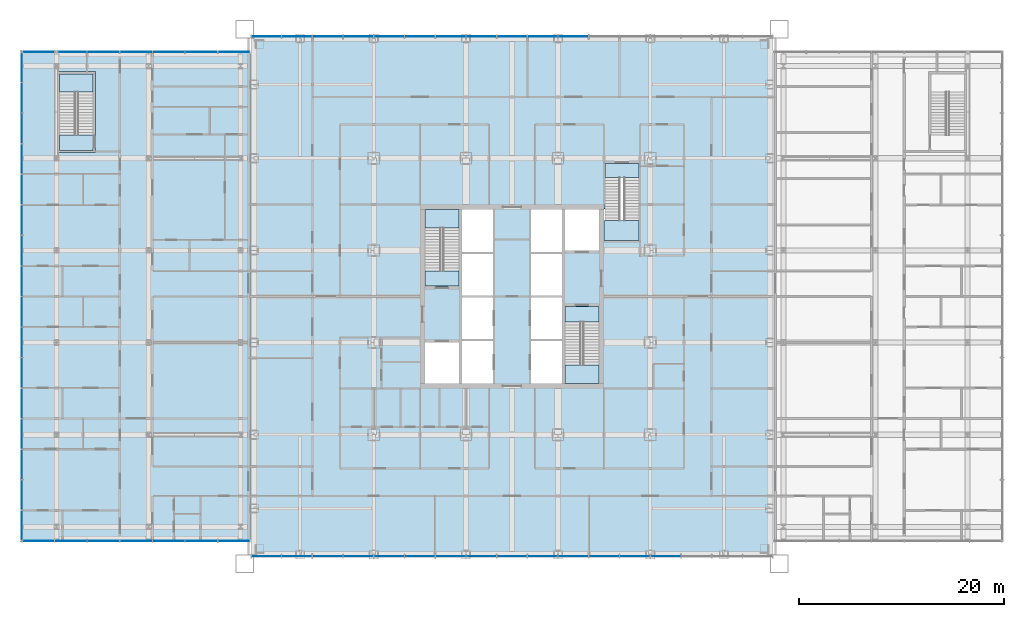
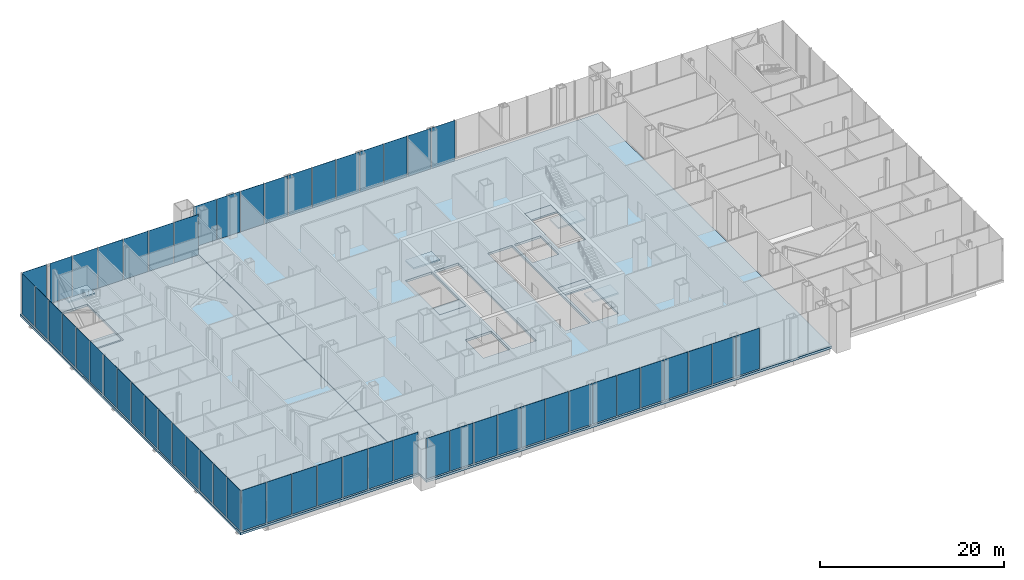
# One storey, part 10 of 25: 55 plates, 10 slabs, 9 elements without a shape of their own.
"""IFC4 building model written with IfcOpenShell, lengths in metres."""

from ifc_helpers import new_model, si_unit, direction, frame, origin, origin_2d, place, context, subcontext, project, spatial, polyline, rectangle, outline, extrude, material, layer, layer_set, type_object, element, aggregate, save


model = new_model("IFC4")

# Units and contexts
model_context = context("Model", 3, precision=1e-05, world=origin(), true_north=direction((0.0, 1.0)))
body_context = subcontext(model_context, "Body", "Model", "MODEL_VIEW")
ifc_project = project(units=[si_unit("LENGTHUNIT", "METRE"), si_unit("AREAUNIT", "SQUARE_METRE"), si_unit("VOLUMEUNIT", "CUBIC_METRE"), si_unit("PLANEANGLEUNIT", "RADIAN"), si_unit("MASSUNIT", "GRAM", prefix="KILO")], contexts=[model_context])

# Site, building, storey
site_placement = place(None, origin())
site = spatial("IfcSite", under=ifc_project, at=site_placement, CompositionType="ELEMENT")
building_placement = place(site_placement, origin())
building = spatial("IfcBuilding", under=site, at=building_placement, Name="Malebo Sky Hospital", CompositionType="ELEMENT")
storey_placement = place(building_placement, frame((0.0, 0.0, 11.0)))
storey = spatial("IfcBuildingStorey", under=building, at=storey_placement, Name="L02", CompositionType="ELEMENT", Elevation=11.0)

# Slabs
ifc_material_1 = material(Name="Concrete C40/50", Category="concrete")
ifc_layer_1 = layer(ifc_material_1, 0.300048828125)
ifc_layer_set_1 = layer_set([ifc_layer_1], Name="COMPOSITE FLOOR SLAB 300")
slab_type_1 = type_object("IfcSlabType", Name="COMPOSITE FLOOR SLAB 300", PredefinedType="FLOOR", material=ifc_layer_set_1)
slab_1_placement = place(storey_placement, frame((0.0, 0.0, -0.300048828125)))
element("IfcSlab", 1, at=slab_1_placement, inside=storey, type_object=slab_type_1, Name="Floor slab L02", PredefinedType="FLOOR", context=body_context, shape_type="SweptSolid", body=[
    extrude(outline(polyline([(34.5, 87.5), (34.5, 36.5), (85.5, 36.5), (85.5, 87.5), (34.5, 87.5)]), holes=[polyline([(55.10009765625, 70.5), (58.14990234375, 70.5), (58.14990234375, 53.5), (55.10009765625, 53.5), (55.10009765625, 70.5)]), polyline([(64.89990234375, 70.5), (64.89990234375, 53.5), (61.85009765625, 53.5), (61.85009765625, 70.5), (64.89990234375, 70.5)]), polyline([(54.800048828125, 63.0), (51.5, 63.0), (51.5, 70.5), (54.800048828125, 70.5), (54.800048828125, 63.0)]), polyline([(51.5, 53.5), (51.5, 57.5), (54.800048828125, 57.5), (54.800048828125, 53.5), (51.5, 53.5)]), polyline([(65.199951171875, 61.0), (68.5, 61.0), (68.5, 53.5), (65.199951171875, 53.5), (65.199951171875, 61.0)]), polyline([(68.5, 70.5), (68.5, 66.5), (65.199951171875, 66.5), (65.199951171875, 70.5), (68.5, 70.5)]), polyline([(69.0, 67.449951171875), (69.0, 70.52001953125), (69.10009765625, 70.52001953125), (69.10009765625, 75.0), (72.39990234375, 75.0), (72.39990234375, 67.449951171875), (69.10009765625, 67.449951171875), (69.0, 67.449951171875)])]), origin(), (0.0, 0.0, 1.0), 0.300048828125),
])
slab_2_placement = place(storey_placement, frame((0.0, 0.0, -0.300048828125)))
element("IfcSlab", 2, at=slab_2_placement, inside=storey, type_object=slab_type_1, Name="Floor slab L02 west wing", PredefinedType="FLOOR", context=body_context, shape_type="SweptSolid", body=[
    extrude(outline(polyline([(34.449951171875, 38.0), (34.449951171875, 86.0), (12.0, 86.0), (12.0, 38.0), (34.449951171875, 38.0)]), holes=[polyline([(19.300048828125, 76.050048828125), (15.60009765625, 76.050048828125), (15.60009765625, 83.949951171875), (19.300048828125, 83.949951171875), (19.300048828125, 76.050048828125)])]), origin(), (0.0, 0.0, 1.0), 0.300048828125),
])

# Stair, slabs
stair_type_1 = type_object("IfcStairType", Name="HALF-TURN STAIR 1500 R172", PredefinedType="HALF_TURN_STAIR", material=ifc_material_1)
stair_1_placement = place(storey_placement, origin())
stair_1 = element("IfcStair", 3, at=stair_1_placement, inside=storey, type_object=stair_type_1, Name="Stair S1 L02 type ST2", PredefinedType="HALF_TURN_STAIR")
ifc_layer_2 = layer(ifc_material_1, 0.199951171875)
ifc_layer_set_2 = layer_set([ifc_layer_2], Name="STAIR LANDING 200")
slab_type_2 = type_object("IfcSlabType", Name="STAIR LANDING 200", PredefinedType="LANDING", material=ifc_layer_set_2)
slab_3_placement = place(storey_placement, frame((0.0, 0.0, -0.199951171875)))
slab_3 = element("IfcSlab", 4, at=slab_3_placement, type_object=slab_type_2, Name="S1 landing 1", PredefinedType="LANDING", context=body_context, shape_type="SweptSolid", body=[
    extrude(outline(polyline([(51.5, 63.0), (54.800048828125, 63.0), (54.800048828125, 64.5), (51.5, 64.5), (51.5, 63.0)])), origin(), (0.0, 0.0, 1.0), 0.199951171875),
])
slab_4_placement = place(storey_placement, frame((0.0, 0.0, 2.550048828125)))
slab_4 = element("IfcSlab", 5, at=slab_4_placement, type_object=slab_type_2, Name="S1 landing 2", PredefinedType="LANDING", context=body_context, shape_type="SweptSolid", body=[
    extrude(outline(polyline([(51.5, 68.699951171875), (54.800048828125, 68.699951171875), (54.800048828125, 70.5), (51.5, 70.5), (51.5, 68.699951171875)])), origin(), (0.0, 0.0, 1.0), 0.199951171875),
])
aggregate(stair_1, [slab_3, slab_4])

stair_2_placement = place(storey_placement, origin())
stair_2 = element("IfcStair", 6, at=stair_2_placement, inside=storey, type_object=stair_type_1, Name="Stair S2 L02 type ST2", PredefinedType="HALF_TURN_STAIR")
slab_5_placement = place(storey_placement, frame((0.0, 0.0, -0.199951171875)))
slab_5 = element("IfcSlab", 7, at=slab_5_placement, type_object=slab_type_2, Name="S2 landing 1", PredefinedType="LANDING", context=body_context, shape_type="SweptSolid", body=[
    extrude(outline(polyline([(65.199951171875, 59.5), (68.5, 59.5), (68.5, 61.0), (65.199951171875, 61.0), (65.199951171875, 59.5)])), origin(), (0.0, 0.0, 1.0), 0.199951171875),
])
slab_6_placement = place(storey_placement, frame((0.0, 0.0, 2.550048828125)))
slab_6 = element("IfcSlab", 8, at=slab_6_placement, type_object=slab_type_2, Name="S2 landing 2", PredefinedType="LANDING", context=body_context, shape_type="SweptSolid", body=[
    extrude(outline(polyline([(65.199951171875, 53.5), (68.5, 53.5), (68.5, 55.300048828125), (65.199951171875, 55.300048828125), (65.199951171875, 53.5)])), origin(), (0.0, 0.0, 1.0), 0.199951171875),
])
aggregate(stair_2, [slab_5, slab_6])

stair_type_2 = type_object("IfcStairType", Name="HALF-TURN STAIR 1400 R172", PredefinedType="HALF_TURN_STAIR", material=ifc_material_1)
stair_3_placement = place(storey_placement, origin())
stair_3 = element("IfcStair", 9, at=stair_3_placement, inside=storey, type_object=stair_type_2, Name="Stair S3 L02 type ST2B", PredefinedType="HALF_TURN_STAIR")
slab_7_placement = place(storey_placement, frame((0.0, 0.0, -0.199951171875)))
slab_7 = element("IfcSlab", 10, at=slab_7_placement, type_object=slab_type_2, Name="S3 landing 1", PredefinedType="LANDING", context=body_context, shape_type="SweptSolid", body=[
    extrude(outline(polyline([(69.10009765625, 73.60009765625), (72.39990234375, 73.60009765625), (72.39990234375, 75.0), (69.10009765625, 75.0), (69.10009765625, 73.60009765625)])), origin(), (0.0, 0.0, 1.0), 0.199951171875),
])
slab_8_placement = place(storey_placement, frame((0.0, 0.0, 2.550048828125)))
slab_8 = element("IfcSlab", 11, at=slab_8_placement, type_object=slab_type_2, Name="S3 landing 2", PredefinedType="LANDING", context=body_context, shape_type="SweptSolid", body=[
    extrude(outline(polyline([(69.0, 67.449951171875), (72.39990234375, 67.449951171875), (72.39990234375, 69.39990234375), (69.0, 69.39990234375), (69.0, 67.449951171875)])), origin(), (0.0, 0.0, 1.0), 0.199951171875),
])
aggregate(stair_3, [slab_7, slab_8])

stair_4_placement = place(storey_placement, origin())
stair_4 = element("IfcStair", 12, at=stair_4_placement, inside=storey, type_object=stair_type_1, Name="Stair WS L02 type ST2", PredefinedType="HALF_TURN_STAIR")
slab_9_placement = place(storey_placement, frame((0.0, 0.0, -0.199951171875)))
slab_9 = element("IfcSlab", 13, at=slab_9_placement, type_object=slab_type_2, Name="WS landing 1", PredefinedType="LANDING", context=body_context, shape_type="SweptSolid", body=[
    extrude(outline(polyline([(15.800048828125, 76.25), (19.10009765625, 76.25), (19.10009765625, 77.75), (15.800048828125, 77.75), (15.800048828125, 76.25)])), origin(), (0.0, 0.0, 1.0), 0.199951171875),
])
slab_10_placement = place(storey_placement, frame((0.0, 0.0, 2.550048828125)))
slab_10 = element("IfcSlab", 14, at=slab_10_placement, type_object=slab_type_2, Name="WS landing 2", PredefinedType="LANDING", context=body_context, shape_type="SweptSolid", body=[
    extrude(outline(polyline([(15.800048828125, 81.949951171875), (19.10009765625, 81.949951171875), (19.10009765625, 83.75), (15.800048828125, 83.75), (15.800048828125, 81.949951171875)])), origin(), (0.0, 0.0, 1.0), 0.199951171875),
])
aggregate(stair_4, [slab_9, slab_10])

# Curtain wall, plates
ifc_material_2 = material(Name="Anodised aluminium, natural silver", Category="aluminium")
ifc_layer_3 = layer(ifc_material_2, 0.25)
ifc_layer_set_3 = layer_set([ifc_layer_3], Name="PODIUM CURTAIN WALL")
curtain_wall_type_1 = type_object("IfcCurtainWallType", Name="PODIUM CURTAIN WALL", PredefinedType="NOTDEFINED", material=ifc_layer_set_3)
curtain_wall_1_placement = place(storey_placement, origin())
curtain_wall_1 = element("IfcCurtainWall", 15, at=curtain_wall_1_placement, inside=storey, type_object=curtain_wall_type_1, Name="POD curtain wall WW", PredefinedType="NOTDEFINED")
ifc_material_3 = material(Name="Clear low-iron double glazing", Category="glass")
ifc_layer_4 = layer(ifc_material_3, 0.031982421875)
ifc_layer_set_4 = layer_set([ifc_layer_4], Name="VISION PANEL CLEAR 32")
plate_type = type_object("IfcPlateType", Name="VISION PANEL CLEAR 32", PredefinedType="CURTAIN_PANEL", material=ifc_layer_set_4)
plate_1_placement = place(storey_placement, frame((12.125, 84.364013671875, 0.10009765625), z_axis=(0.0, 0.0, 1.0), x_axis=(0.0, -1.0, 0.0)))
plate_1 = element("IfcPlate", 16, at=plate_1_placement, type_object=plate_type, Name="Panel 1", PredefinedType="CURTAIN_PANEL", context=body_context, shape_type="SweptSolid", body=[
    extrude(rectangle(XDim=2.871826171875, YDim=0.031982421875, at=origin_2d()), origin(), (0.0, 0.0, 1.0), 5.389892578125),
])
plate_2_placement = place(storey_placement, frame((12.125, 81.3984375, 0.10009765625), z_axis=(0.0, 0.0, 1.0), x_axis=(0.0, -1.0, 0.0)))
plate_2 = element("IfcPlate", 17, at=plate_2_placement, type_object=plate_type, Name="Panel 2", PredefinedType="CURTAIN_PANEL", context=body_context, shape_type="SweptSolid", body=[
    extrude(rectangle(XDim=2.909423828125, YDim=0.031982421875, at=origin_2d()), origin(), (0.0, 0.0, 1.0), 5.389892578125),
])
plate_3_placement = place(storey_placement, frame((12.125, 78.4140625, 0.10009765625), z_axis=(0.0, 0.0, 1.0), x_axis=(0.0, -1.0, 0.0)))
plate_3 = element("IfcPlate", 18, at=plate_3_placement, type_object=plate_type, Name="Panel 3", PredefinedType="CURTAIN_PANEL", context=body_context, shape_type="SweptSolid", body=[
    extrude(rectangle(XDim=2.9091796875, YDim=0.031982421875, at=origin_2d()), origin(), (0.0, 0.0, 1.0), 5.389892578125),
])
plate_4_placement = place(storey_placement, frame((12.125, 75.4296875, 0.10009765625), z_axis=(0.0, 0.0, 1.0), x_axis=(0.0, -1.0, 0.0)))
plate_4 = element("IfcPlate", 19, at=plate_4_placement, type_object=plate_type, Name="Panel 4", PredefinedType="CURTAIN_PANEL", context=body_context, shape_type="SweptSolid", body=[
    extrude(rectangle(XDim=2.909423828125, YDim=0.031982421875, at=origin_2d()), origin(), (0.0, 0.0, 1.0), 5.389892578125),
])
plate_5_placement = place(storey_placement, frame((12.125, 72.4453125, 0.10009765625), z_axis=(0.0, 0.0, 1.0), x_axis=(0.0, -1.0, 0.0)))
plate_5 = element("IfcPlate", 20, at=plate_5_placement, type_object=plate_type, Name="Panel 5", PredefinedType="CURTAIN_PANEL", context=body_context, shape_type="SweptSolid", body=[
    extrude(rectangle(XDim=2.909423828125, YDim=0.031982421875, at=origin_2d()), origin(), (0.0, 0.0, 1.0), 5.389892578125),
])
plate_6_placement = place(storey_placement, frame((12.125, 69.4609375, 0.10009765625), z_axis=(0.0, 0.0, 1.0), x_axis=(0.0, -1.0, 0.0)))
plate_6 = element("IfcPlate", 21, at=plate_6_placement, type_object=plate_type, Name="Panel 6", PredefinedType="CURTAIN_PANEL", context=body_context, shape_type="SweptSolid", body=[
    extrude(rectangle(XDim=2.9091796875, YDim=0.031982421875, at=origin_2d()), origin(), (0.0, 0.0, 1.0), 5.389892578125),
])
plate_7_placement = place(storey_placement, frame((12.125, 66.4765625, 0.10009765625), z_axis=(0.0, 0.0, 1.0), x_axis=(0.0, -1.0, 0.0)))
plate_7 = element("IfcPlate", 22, at=plate_7_placement, type_object=plate_type, Name="Panel 7", PredefinedType="CURTAIN_PANEL", context=body_context, shape_type="SweptSolid", body=[
    extrude(rectangle(XDim=2.909423828125, YDim=0.031982421875, at=origin_2d()), origin(), (0.0, 0.0, 1.0), 5.389892578125),
])
plate_8_placement = place(storey_placement, frame((12.125, 63.4921875, 0.10009765625), z_axis=(0.0, 0.0, 1.0), x_axis=(0.0, -1.0, 0.0)))
plate_8 = element("IfcPlate", 23, at=plate_8_placement, type_object=plate_type, Name="Panel 8", PredefinedType="CURTAIN_PANEL", context=body_context, shape_type="SweptSolid", body=[
    extrude(rectangle(XDim=2.909423828125, YDim=0.031982421875, at=origin_2d()), origin(), (0.0, 0.0, 1.0), 5.389892578125),
])
plate_9_placement = place(storey_placement, frame((12.125, 60.5078125, 0.10009765625), z_axis=(0.0, 0.0, 1.0), x_axis=(0.0, -1.0, 0.0)))
plate_9 = element("IfcPlate", 24, at=plate_9_placement, type_object=plate_type, Name="Panel 9", PredefinedType="CURTAIN_PANEL", context=body_context, shape_type="SweptSolid", body=[
    extrude(rectangle(XDim=2.909423828125, YDim=0.031982421875, at=origin_2d()), origin(), (0.0, 0.0, 1.0), 5.389892578125),
])
plate_10_placement = place(storey_placement, frame((12.125, 57.5234375, 0.10009765625), z_axis=(0.0, 0.0, 1.0), x_axis=(0.0, -1.0, 0.0)))
plate_10 = element("IfcPlate", 25, at=plate_10_placement, type_object=plate_type, Name="Panel 10", PredefinedType="CURTAIN_PANEL", context=body_context, shape_type="SweptSolid", body=[
    extrude(rectangle(XDim=2.909423828125, YDim=0.031982421875, at=origin_2d()), origin(), (0.0, 0.0, 1.0), 5.389892578125),
])
plate_11_placement = place(storey_placement, frame((12.125, 54.5390625, 0.10009765625), z_axis=(0.0, 0.0, 1.0), x_axis=(0.0, -1.0, 0.0)))
plate_11 = element("IfcPlate", 26, at=plate_11_placement, type_object=plate_type, Name="Panel 11", PredefinedType="CURTAIN_PANEL", context=body_context, shape_type="SweptSolid", body=[
    extrude(rectangle(XDim=2.9091796875, YDim=0.031982421875, at=origin_2d()), origin(), (0.0, 0.0, 1.0), 5.389892578125),
])
plate_12_placement = place(storey_placement, frame((12.125, 51.5546875, 0.10009765625), z_axis=(0.0, 0.0, 1.0), x_axis=(0.0, -1.0, 0.0)))
plate_12 = element("IfcPlate", 27, at=plate_12_placement, type_object=plate_type, Name="Panel 12", PredefinedType="CURTAIN_PANEL", context=body_context, shape_type="SweptSolid", body=[
    extrude(rectangle(XDim=2.909423828125, YDim=0.031982421875, at=origin_2d()), origin(), (0.0, 0.0, 1.0), 5.389892578125),
])
plate_13_placement = place(storey_placement, frame((12.125, 48.5703125, 0.10009765625), z_axis=(0.0, 0.0, 1.0), x_axis=(0.0, -1.0, 0.0)))
plate_13 = element("IfcPlate", 28, at=plate_13_placement, type_object=plate_type, Name="Panel 13", PredefinedType="CURTAIN_PANEL", context=body_context, shape_type="SweptSolid", body=[
    extrude(rectangle(XDim=2.909423828125, YDim=0.031982421875, at=origin_2d()), origin(), (0.0, 0.0, 1.0), 5.389892578125),
])
plate_14_placement = place(storey_placement, frame((12.125, 45.5859375, 0.10009765625), z_axis=(0.0, 0.0, 1.0), x_axis=(0.0, -1.0, 0.0)))
plate_14 = element("IfcPlate", 29, at=plate_14_placement, type_object=plate_type, Name="Panel 14", PredefinedType="CURTAIN_PANEL", context=body_context, shape_type="SweptSolid", body=[
    extrude(rectangle(XDim=2.9091796875, YDim=0.031982421875, at=origin_2d()), origin(), (0.0, 0.0, 1.0), 5.389892578125),
])
plate_15_placement = place(storey_placement, frame((12.125, 42.6015625, 0.10009765625), z_axis=(0.0, 0.0, 1.0), x_axis=(0.0, -1.0, 0.0)))
plate_15 = element("IfcPlate", 30, at=plate_15_placement, type_object=plate_type, Name="Panel 15", PredefinedType="CURTAIN_PANEL", context=body_context, shape_type="SweptSolid", body=[
    extrude(rectangle(XDim=2.909423828125, YDim=0.031982421875, at=origin_2d()), origin(), (0.0, 0.0, 1.0), 5.389892578125),
])
plate_16_placement = place(storey_placement, frame((12.125, 39.635986328125, 0.10009765625), z_axis=(0.0, 0.0, 1.0), x_axis=(0.0, -1.0, 0.0)))
plate_16 = element("IfcPlate", 31, at=plate_16_placement, type_object=plate_type, Name="Panel 16", PredefinedType="CURTAIN_PANEL", context=body_context, shape_type="SweptSolid", body=[
    extrude(rectangle(XDim=2.871826171875, YDim=0.031982421875, at=origin_2d()), origin(), (0.0, 0.0, 1.0), 5.389892578125),
])
aggregate(curtain_wall_1, [plate_1, plate_2, plate_3, plate_4, plate_5, plate_6, plate_7, plate_8, plate_9, plate_10, plate_11, plate_12, plate_13, plate_14, plate_15, plate_16])

curtain_wall_2_placement = place(storey_placement, origin())
curtain_wall_2 = element("IfcCurtainWall", 32, at=curtain_wall_2_placement, inside=storey, type_object=curtain_wall_type_1, Name="POD curtain wall WS", PredefinedType="NOTDEFINED")
plate_17_placement = place(storey_placement, frame((13.73828125, 38.125, 0.10009765625), z_axis=(0.0, 0.0, 1.0), x_axis=(1.0, 0.0, 0.0)))
plate_17 = element("IfcPlate", 33, at=plate_17_placement, type_object=plate_type, Name="Panel 1", PredefinedType="CURTAIN_PANEL", context=body_context, shape_type="SweptSolid", body=[
    extrude(rectangle(XDim=3.076904296875, YDim=0.031982421875, at=origin_2d()), origin(), (0.0, 0.0, 1.0), 5.389892578125),
])
plate_18_placement = place(storey_placement, frame((16.908935546875, 38.125, 0.10009765625), z_axis=(0.0, 0.0, 1.0), x_axis=(1.0, 0.0, 0.0)))
plate_18 = element("IfcPlate", 34, at=plate_18_placement, type_object=plate_type, Name="Panel 2", PredefinedType="CURTAIN_PANEL", context=body_context, shape_type="SweptSolid", body=[
    extrude(rectangle(XDim=3.1142578125, YDim=0.031982421875, at=origin_2d()), origin(), (0.0, 0.0, 1.0), 5.389892578125),
])
plate_19_placement = place(storey_placement, frame((20.09814453125, 38.125, 0.10009765625), z_axis=(0.0, 0.0, 1.0), x_axis=(1.0, 0.0, 0.0)))
plate_19 = element("IfcPlate", 35, at=plate_19_placement, type_object=plate_type, Name="Panel 3", PredefinedType="CURTAIN_PANEL", context=body_context, shape_type="SweptSolid", body=[
    extrude(rectangle(XDim=3.1142578125, YDim=0.031982421875, at=origin_2d()), origin(), (0.0, 0.0, 1.0), 5.389892578125),
])
plate_20_placement = place(storey_placement, frame((23.28759765625, 38.125, 0.10009765625), z_axis=(0.0, 0.0, 1.0), x_axis=(1.0, 0.0, 0.0)))
plate_20 = element("IfcPlate", 36, at=plate_20_placement, type_object=plate_type, Name="Panel 4", PredefinedType="CURTAIN_PANEL", context=body_context, shape_type="SweptSolid", body=[
    extrude(rectangle(XDim=3.1142578125, YDim=0.031982421875, at=origin_2d()), origin(), (0.0, 0.0, 1.0), 5.389892578125),
])
plate_21_placement = place(storey_placement, frame((26.476806640625, 38.125, 0.10009765625), z_axis=(0.0, 0.0, 1.0), x_axis=(1.0, 0.0, 0.0)))
plate_21 = element("IfcPlate", 37, at=plate_21_placement, type_object=plate_type, Name="Panel 5", PredefinedType="CURTAIN_PANEL", context=body_context, shape_type="SweptSolid", body=[
    extrude(rectangle(XDim=3.1142578125, YDim=0.031982421875, at=origin_2d()), origin(), (0.0, 0.0, 1.0), 5.389892578125),
])
plate_22_placement = place(storey_placement, frame((29.666015625, 38.125, 0.10009765625), z_axis=(0.0, 0.0, 1.0), x_axis=(1.0, 0.0, 0.0)))
plate_22 = element("IfcPlate", 38, at=plate_22_placement, type_object=plate_type, Name="Panel 6", PredefinedType="CURTAIN_PANEL", context=body_context, shape_type="SweptSolid", body=[
    extrude(rectangle(XDim=3.1142578125, YDim=0.031982421875, at=origin_2d()), origin(), (0.0, 0.0, 1.0), 5.389892578125),
])
plate_23_placement = place(storey_placement, frame((32.836669921875, 38.125, 0.10009765625), z_axis=(0.0, 0.0, 1.0), x_axis=(1.0, 0.0, 0.0)))
plate_23 = element("IfcPlate", 39, at=plate_23_placement, type_object=plate_type, Name="Panel 7", PredefinedType="CURTAIN_PANEL", context=body_context, shape_type="SweptSolid", body=[
    extrude(rectangle(XDim=3.076904296875, YDim=0.031982421875, at=origin_2d()), origin(), (0.0, 0.0, 1.0), 5.389892578125),
])
aggregate(curtain_wall_2, [plate_17, plate_18, plate_19, plate_20, plate_21, plate_22, plate_23])

curtain_wall_3_placement = place(storey_placement, origin())
curtain_wall_3 = element("IfcCurtainWall", 40, at=curtain_wall_3_placement, inside=storey, type_object=curtain_wall_type_1, Name="POD curtain wall WN", PredefinedType="NOTDEFINED")
plate_24_placement = place(storey_placement, frame((32.836669921875, 85.875, 0.10009765625), z_axis=(0.0, 0.0, 1.0), x_axis=(-1.0, 0.0, 0.0)))
plate_24 = element("IfcPlate", 41, at=plate_24_placement, type_object=plate_type, Name="Panel 1", PredefinedType="CURTAIN_PANEL", context=body_context, shape_type="SweptSolid", body=[
    extrude(rectangle(XDim=3.076904296875, YDim=0.031982421875, at=origin_2d()), origin(), (0.0, 0.0, 1.0), 5.389892578125),
])
plate_25_placement = place(storey_placement, frame((29.666015625, 85.875, 0.10009765625), z_axis=(0.0, 0.0, 1.0), x_axis=(-1.0, 0.0, 0.0)))
plate_25 = element("IfcPlate", 42, at=plate_25_placement, type_object=plate_type, Name="Panel 2", PredefinedType="CURTAIN_PANEL", context=body_context, shape_type="SweptSolid", body=[
    extrude(rectangle(XDim=3.1142578125, YDim=0.031982421875, at=origin_2d()), origin(), (0.0, 0.0, 1.0), 5.389892578125),
])
plate_26_placement = place(storey_placement, frame((26.476806640625, 85.875, 0.10009765625), z_axis=(0.0, 0.0, 1.0), x_axis=(-1.0, 0.0, 0.0)))
plate_26 = element("IfcPlate", 43, at=plate_26_placement, type_object=plate_type, Name="Panel 3", PredefinedType="CURTAIN_PANEL", context=body_context, shape_type="SweptSolid", body=[
    extrude(rectangle(XDim=3.1142578125, YDim=0.031982421875, at=origin_2d()), origin(), (0.0, 0.0, 1.0), 5.389892578125),
])
plate_27_placement = place(storey_placement, frame((23.28759765625, 85.875, 0.10009765625), z_axis=(0.0, 0.0, 1.0), x_axis=(-1.0, 0.0, 0.0)))
plate_27 = element("IfcPlate", 44, at=plate_27_placement, type_object=plate_type, Name="Panel 4", PredefinedType="CURTAIN_PANEL", context=body_context, shape_type="SweptSolid", body=[
    extrude(rectangle(XDim=3.1142578125, YDim=0.031982421875, at=origin_2d()), origin(), (0.0, 0.0, 1.0), 5.389892578125),
])
plate_28_placement = place(storey_placement, frame((20.09814453125, 85.875, 0.10009765625), z_axis=(0.0, 0.0, 1.0), x_axis=(-1.0, 0.0, 0.0)))
plate_28 = element("IfcPlate", 45, at=plate_28_placement, type_object=plate_type, Name="Panel 5", PredefinedType="CURTAIN_PANEL", context=body_context, shape_type="SweptSolid", body=[
    extrude(rectangle(XDim=3.1142578125, YDim=0.031982421875, at=origin_2d()), origin(), (0.0, 0.0, 1.0), 5.389892578125),
])
plate_29_placement = place(storey_placement, frame((17.07666015625, 85.875, 0.1669921875), z_axis=(0.0, 0.0, 1.0), x_axis=(-1.0, 0.0, 0.0)))
plate_29 = element("IfcPlate", 46, at=plate_29_placement, type_object=plate_type, Name="Panel 6", PredefinedType="CURTAIN_PANEL", context=body_context, shape_type="SweptSolid", body=[
    extrude(outline(polyline([(-1.389404296875, 0.0), (1.389404296875, 0.0), (1.389404296875, 5.322998046875), (-1.389404296875, 5.322998046875), (-1.389404296875, 0.0)])), frame((0.0, 0.01611328125, 0.0), z_axis=(0.0, -1.0, 0.0), x_axis=(1.0, 0.0, 0.0)), (0.0, 0.0, 1.0), 0.031982421875),
])
plate_30_placement = place(storey_placement, frame((13.73828125, 85.875, 0.10009765625), z_axis=(0.0, 0.0, 1.0), x_axis=(-1.0, 0.0, 0.0)))
plate_30 = element("IfcPlate", 47, at=plate_30_placement, type_object=plate_type, Name="Panel 7", PredefinedType="CURTAIN_PANEL", context=body_context, shape_type="SweptSolid", body=[
    extrude(rectangle(XDim=3.076904296875, YDim=0.031982421875, at=origin_2d()), origin(), (0.0, 0.0, 1.0), 5.389892578125),
])
aggregate(curtain_wall_3, [plate_24, plate_25, plate_26, plate_27, plate_28, plate_29, plate_30])

ifc_layer_5 = layer(ifc_material_2, 0.25)
ifc_layer_set_5 = layer_set([ifc_layer_5], Name="PODIUM ENTRANCE BAY CURTAIN WALL")
curtain_wall_type_2 = type_object("IfcCurtainWallType", Name="PODIUM ENTRANCE BAY CURTAIN WALL", PredefinedType="NOTDEFINED", material=ifc_layer_set_5)
curtain_wall_4_placement = place(storey_placement, origin())
curtain_wall_4 = element("IfcCurtainWall", 48, at=curtain_wall_4_placement, inside=storey, type_object=curtain_wall_type_2, Name="BAY curtain wall BS", PredefinedType="NOTDEFINED")
plate_31_placement = place(storey_placement, frame((36.018798828125, 36.625, 0.10009765625), z_axis=(0.0, 0.0, 1.0), x_axis=(1.0, 0.0, 0.0)))
plate_31 = element("IfcPlate", 49, at=plate_31_placement, type_object=plate_type, Name="Panel 1", PredefinedType="CURTAIN_PANEL", context=body_context, shape_type="SweptSolid", body=[
    extrude(rectangle(XDim=2.887451171875, YDim=0.031982421875, at=origin_2d()), origin(), (0.0, 0.0, 1.0), 5.389892578125),
])
plate_32_placement = place(storey_placement, frame((39.0, 36.625, 0.10009765625), z_axis=(0.0, 0.0, 1.0), x_axis=(1.0, 0.0, 0.0)))
plate_32 = element("IfcPlate", 50, at=plate_32_placement, type_object=plate_type, Name="Panel 2", PredefinedType="CURTAIN_PANEL", context=body_context, shape_type="SweptSolid", body=[
    extrude(rectangle(XDim=2.925048828125, YDim=0.031982421875, at=origin_2d()), origin(), (0.0, 0.0, 1.0), 5.389892578125),
])
plate_33_placement = place(storey_placement, frame((42.0, 36.625, 0.10009765625), z_axis=(0.0, 0.0, 1.0), x_axis=(1.0, 0.0, 0.0)))
plate_33 = element("IfcPlate", 51, at=plate_33_placement, type_object=plate_type, Name="Panel 3", PredefinedType="CURTAIN_PANEL", context=body_context, shape_type="SweptSolid", body=[
    extrude(rectangle(XDim=2.925048828125, YDim=0.031982421875, at=origin_2d()), origin(), (0.0, 0.0, 1.0), 5.389892578125),
])
plate_34_placement = place(storey_placement, frame((45.0, 36.625, 0.10009765625), z_axis=(0.0, 0.0, 1.0), x_axis=(1.0, 0.0, 0.0)))
plate_34 = element("IfcPlate", 52, at=plate_34_placement, type_object=plate_type, Name="Panel 4", PredefinedType="CURTAIN_PANEL", context=body_context, shape_type="SweptSolid", body=[
    extrude(rectangle(XDim=2.925048828125, YDim=0.031982421875, at=origin_2d()), origin(), (0.0, 0.0, 1.0), 5.389892578125),
])
plate_35_placement = place(storey_placement, frame((48.0, 36.625, 0.10009765625), z_axis=(0.0, 0.0, 1.0), x_axis=(1.0, 0.0, 0.0)))
plate_35 = element("IfcPlate", 53, at=plate_35_placement, type_object=plate_type, Name="Panel 5", PredefinedType="CURTAIN_PANEL", context=body_context, shape_type="SweptSolid", body=[
    extrude(rectangle(XDim=2.925048828125, YDim=0.031982421875, at=origin_2d()), origin(), (0.0, 0.0, 1.0), 5.389892578125),
])
plate_36_placement = place(storey_placement, frame((51.0, 36.625, 0.10009765625), z_axis=(0.0, 0.0, 1.0), x_axis=(1.0, 0.0, 0.0)))
plate_36 = element("IfcPlate", 54, at=plate_36_placement, type_object=plate_type, Name="Panel 6", PredefinedType="CURTAIN_PANEL", context=body_context, shape_type="SweptSolid", body=[
    extrude(rectangle(XDim=2.925048828125, YDim=0.031982421875, at=origin_2d()), origin(), (0.0, 0.0, 1.0), 5.389892578125),
])
plate_37_placement = place(storey_placement, frame((54.0, 36.625, 0.10009765625), z_axis=(0.0, 0.0, 1.0), x_axis=(1.0, 0.0, 0.0)))
plate_37 = element("IfcPlate", 55, at=plate_37_placement, type_object=plate_type, Name="Panel 7", PredefinedType="CURTAIN_PANEL", context=body_context, shape_type="SweptSolid", body=[
    extrude(rectangle(XDim=2.925048828125, YDim=0.031982421875, at=origin_2d()), origin(), (0.0, 0.0, 1.0), 5.389892578125),
])
plate_38_placement = place(storey_placement, frame((57.0, 36.625, 0.10009765625), z_axis=(0.0, 0.0, 1.0), x_axis=(1.0, 0.0, 0.0)))
plate_38 = element("IfcPlate", 56, at=plate_38_placement, type_object=plate_type, Name="Panel 8", PredefinedType="CURTAIN_PANEL", context=body_context, shape_type="SweptSolid", body=[
    extrude(rectangle(XDim=2.925048828125, YDim=0.031982421875, at=origin_2d()), origin(), (0.0, 0.0, 1.0), 5.389892578125),
])
plate_39_placement = place(storey_placement, frame((60.0, 36.625, 0.10009765625), z_axis=(0.0, 0.0, 1.0), x_axis=(1.0, 0.0, 0.0)))
plate_39 = element("IfcPlate", 57, at=plate_39_placement, type_object=plate_type, Name="Panel 9", PredefinedType="CURTAIN_PANEL", context=body_context, shape_type="SweptSolid", body=[
    extrude(rectangle(XDim=2.925048828125, YDim=0.031982421875, at=origin_2d()), origin(), (0.0, 0.0, 1.0), 5.389892578125),
])
plate_40_placement = place(storey_placement, frame((63.0, 36.625, 0.10009765625), z_axis=(0.0, 0.0, 1.0), x_axis=(1.0, 0.0, 0.0)))
plate_40 = element("IfcPlate", 58, at=plate_40_placement, type_object=plate_type, Name="Panel 10", PredefinedType="CURTAIN_PANEL", context=body_context, shape_type="SweptSolid", body=[
    extrude(rectangle(XDim=2.925048828125, YDim=0.031982421875, at=origin_2d()), origin(), (0.0, 0.0, 1.0), 5.389892578125),
])
plate_41_placement = place(storey_placement, frame((66.0, 36.625, 0.10009765625), z_axis=(0.0, 0.0, 1.0), x_axis=(1.0, 0.0, 0.0)))
plate_41 = element("IfcPlate", 59, at=plate_41_placement, type_object=plate_type, Name="Panel 11", PredefinedType="CURTAIN_PANEL", context=body_context, shape_type="SweptSolid", body=[
    extrude(rectangle(XDim=2.925048828125, YDim=0.031982421875, at=origin_2d()), origin(), (0.0, 0.0, 1.0), 5.389892578125),
])
plate_42_placement = place(storey_placement, frame((69.0, 36.625, 0.10009765625), z_axis=(0.0, 0.0, 1.0), x_axis=(1.0, 0.0, 0.0)))
plate_42 = element("IfcPlate", 60, at=plate_42_placement, type_object=plate_type, Name="Panel 12", PredefinedType="CURTAIN_PANEL", context=body_context, shape_type="SweptSolid", body=[
    extrude(rectangle(XDim=2.925048828125, YDim=0.031982421875, at=origin_2d()), origin(), (0.0, 0.0, 1.0), 5.389892578125),
])
plate_43_placement = place(storey_placement, frame((72.0, 36.625, 0.10009765625), z_axis=(0.0, 0.0, 1.0), x_axis=(1.0, 0.0, 0.0)))
plate_43 = element("IfcPlate", 61, at=plate_43_placement, type_object=plate_type, Name="Panel 13", PredefinedType="CURTAIN_PANEL", context=body_context, shape_type="SweptSolid", body=[
    extrude(rectangle(XDim=2.925048828125, YDim=0.031982421875, at=origin_2d()), origin(), (0.0, 0.0, 1.0), 5.389892578125),
])
plate_44_placement = place(storey_placement, frame((75.0, 36.625, 0.10009765625), z_axis=(0.0, 0.0, 1.0), x_axis=(1.0, 0.0, 0.0)))
plate_44 = element("IfcPlate", 62, at=plate_44_placement, type_object=plate_type, Name="Panel 14", PredefinedType="CURTAIN_PANEL", context=body_context, shape_type="SweptSolid", body=[
    extrude(rectangle(XDim=2.925048828125, YDim=0.031982421875, at=origin_2d()), origin(), (0.0, 0.0, 1.0), 5.389892578125),
])
aggregate(curtain_wall_4, [plate_31, plate_32, plate_33, plate_34, plate_35, plate_36, plate_37, plate_38, plate_39, plate_40, plate_41, plate_42, plate_43, plate_44])

curtain_wall_5_placement = place(storey_placement, origin())
curtain_wall_5 = element("IfcCurtainWall", 63, at=curtain_wall_5_placement, inside=storey, type_object=curtain_wall_type_2, Name="BAY curtain wall BN", PredefinedType="NOTDEFINED")
plate_45_placement = place(storey_placement, frame((66.0, 87.375, 0.10009765625), z_axis=(0.0, 0.0, 1.0), x_axis=(-1.0, 0.0, 0.0)))
plate_45 = element("IfcPlate", 64, at=plate_45_placement, type_object=plate_type, Name="Panel 7", PredefinedType="CURTAIN_PANEL", context=body_context, shape_type="SweptSolid", body=[
    extrude(rectangle(XDim=2.925048828125, YDim=0.031982421875, at=origin_2d()), origin(), (0.0, 0.0, 1.0), 5.389892578125),
])
plate_46_placement = place(storey_placement, frame((63.0, 87.375, 0.10009765625), z_axis=(0.0, 0.0, 1.0), x_axis=(-1.0, 0.0, 0.0)))
plate_46 = element("IfcPlate", 65, at=plate_46_placement, type_object=plate_type, Name="Panel 8", PredefinedType="CURTAIN_PANEL", context=body_context, shape_type="SweptSolid", body=[
    extrude(rectangle(XDim=2.925048828125, YDim=0.031982421875, at=origin_2d()), origin(), (0.0, 0.0, 1.0), 5.389892578125),
])
plate_47_placement = place(storey_placement, frame((60.0, 87.375, 0.10009765625), z_axis=(0.0, 0.0, 1.0), x_axis=(-1.0, 0.0, 0.0)))
plate_47 = element("IfcPlate", 66, at=plate_47_placement, type_object=plate_type, Name="Panel 9", PredefinedType="CURTAIN_PANEL", context=body_context, shape_type="SweptSolid", body=[
    extrude(rectangle(XDim=2.925048828125, YDim=0.031982421875, at=origin_2d()), origin(), (0.0, 0.0, 1.0), 5.389892578125),
])
plate_48_placement = place(storey_placement, frame((57.0, 87.375, 0.10009765625), z_axis=(0.0, 0.0, 1.0), x_axis=(-1.0, 0.0, 0.0)))
plate_48 = element("IfcPlate", 67, at=plate_48_placement, type_object=plate_type, Name="Panel 10", PredefinedType="CURTAIN_PANEL", context=body_context, shape_type="SweptSolid", body=[
    extrude(rectangle(XDim=2.925048828125, YDim=0.031982421875, at=origin_2d()), origin(), (0.0, 0.0, 1.0), 5.389892578125),
])
plate_49_placement = place(storey_placement, frame((54.0, 87.375, 0.10009765625), z_axis=(0.0, 0.0, 1.0), x_axis=(-1.0, 0.0, 0.0)))
plate_49 = element("IfcPlate", 68, at=plate_49_placement, type_object=plate_type, Name="Panel 11", PredefinedType="CURTAIN_PANEL", context=body_context, shape_type="SweptSolid", body=[
    extrude(rectangle(XDim=2.925048828125, YDim=0.031982421875, at=origin_2d()), origin(), (0.0, 0.0, 1.0), 5.389892578125),
])
plate_50_placement = place(storey_placement, frame((51.0, 87.375, 0.10009765625), z_axis=(0.0, 0.0, 1.0), x_axis=(-1.0, 0.0, 0.0)))
plate_50 = element("IfcPlate", 69, at=plate_50_placement, type_object=plate_type, Name="Panel 12", PredefinedType="CURTAIN_PANEL", context=body_context, shape_type="SweptSolid", body=[
    extrude(rectangle(XDim=2.925048828125, YDim=0.031982421875, at=origin_2d()), origin(), (0.0, 0.0, 1.0), 5.389892578125),
])
plate_51_placement = place(storey_placement, frame((48.0, 87.375, 0.10009765625), z_axis=(0.0, 0.0, 1.0), x_axis=(-1.0, 0.0, 0.0)))
plate_51 = element("IfcPlate", 70, at=plate_51_placement, type_object=plate_type, Name="Panel 13", PredefinedType="CURTAIN_PANEL", context=body_context, shape_type="SweptSolid", body=[
    extrude(rectangle(XDim=2.925048828125, YDim=0.031982421875, at=origin_2d()), origin(), (0.0, 0.0, 1.0), 5.389892578125),
])
plate_52_placement = place(storey_placement, frame((45.0, 87.375, 0.10009765625), z_axis=(0.0, 0.0, 1.0), x_axis=(-1.0, 0.0, 0.0)))
plate_52 = element("IfcPlate", 71, at=plate_52_placement, type_object=plate_type, Name="Panel 14", PredefinedType="CURTAIN_PANEL", context=body_context, shape_type="SweptSolid", body=[
    extrude(rectangle(XDim=2.925048828125, YDim=0.031982421875, at=origin_2d()), origin(), (0.0, 0.0, 1.0), 5.389892578125),
])
plate_53_placement = place(storey_placement, frame((42.0, 87.375, 0.10009765625), z_axis=(0.0, 0.0, 1.0), x_axis=(-1.0, 0.0, 0.0)))
plate_53 = element("IfcPlate", 72, at=plate_53_placement, type_object=plate_type, Name="Panel 15", PredefinedType="CURTAIN_PANEL", context=body_context, shape_type="SweptSolid", body=[
    extrude(rectangle(XDim=2.925048828125, YDim=0.031982421875, at=origin_2d()), origin(), (0.0, 0.0, 1.0), 5.389892578125),
])
plate_54_placement = place(storey_placement, frame((39.0, 87.375, 0.10009765625), z_axis=(0.0, 0.0, 1.0), x_axis=(-1.0, 0.0, 0.0)))
plate_54 = element("IfcPlate", 73, at=plate_54_placement, type_object=plate_type, Name="Panel 16", PredefinedType="CURTAIN_PANEL", context=body_context, shape_type="SweptSolid", body=[
    extrude(rectangle(XDim=2.925048828125, YDim=0.031982421875, at=origin_2d()), origin(), (0.0, 0.0, 1.0), 5.389892578125),
])
plate_55_placement = place(storey_placement, frame((36.018798828125, 87.375, 0.10009765625), z_axis=(0.0, 0.0, 1.0), x_axis=(-1.0, 0.0, 0.0)))
plate_55 = element("IfcPlate", 74, at=plate_55_placement, type_object=plate_type, Name="Panel 17", PredefinedType="CURTAIN_PANEL", context=body_context, shape_type="SweptSolid", body=[
    extrude(rectangle(XDim=2.887451171875, YDim=0.031982421875, at=origin_2d()), origin(), (0.0, 0.0, 1.0), 5.389892578125),
])
aggregate(curtain_wall_5, [plate_45, plate_46, plate_47, plate_48, plate_49, plate_50, plate_51, plate_52, plate_53, plate_54, plate_55])

save(model, "model.ifc")
